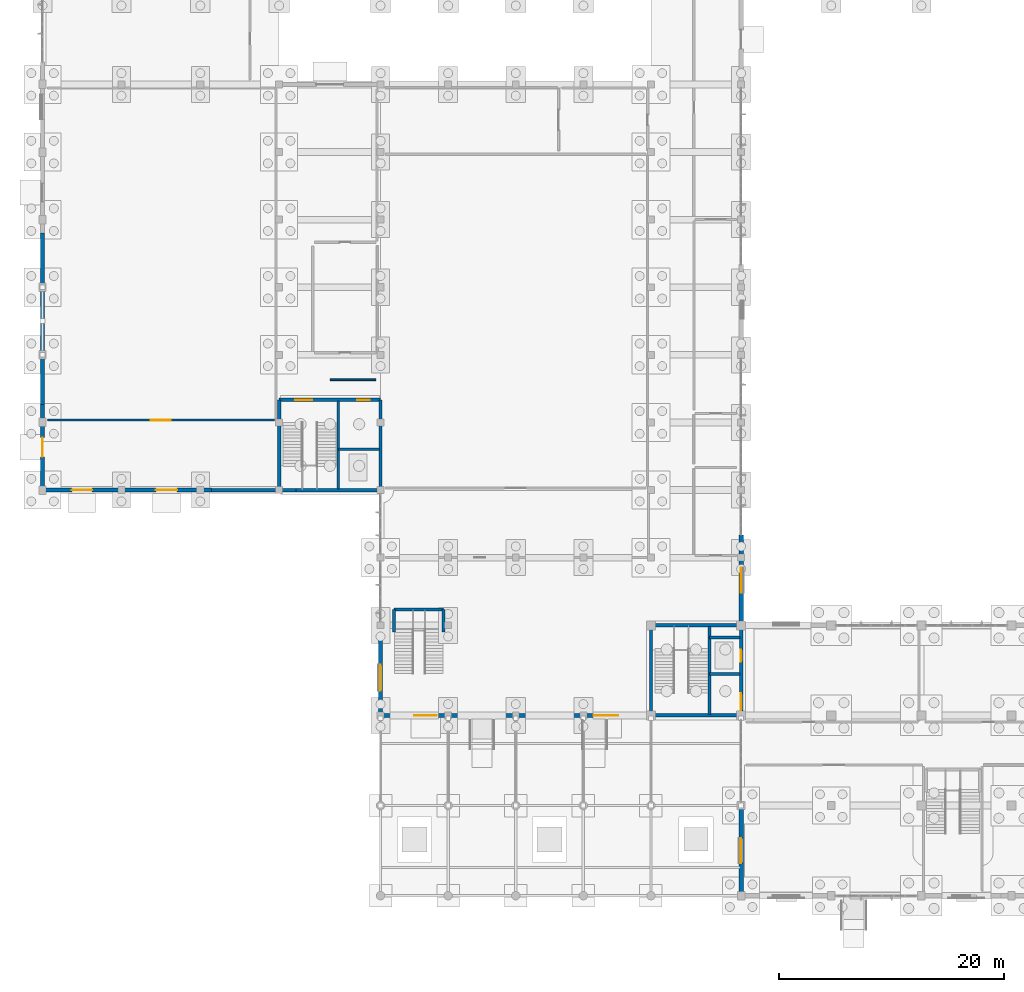
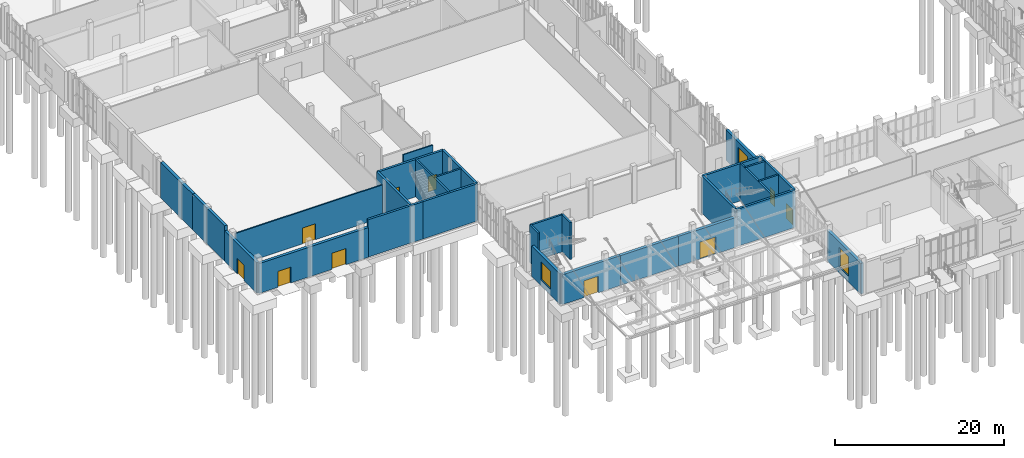
# One storey, part 43 of 69: 30 walls, 10 doors, 3 windows, 13 openings.
"""IFC4 building model written with IfcOpenShell, lengths in metres."""

from ifc_helpers import new_model, si_unit, direction, frame, frame_2d, origin, place, context, subcontext, project, spatial, rectangle, extrude, material, layer, layer_set, type_object, element, fill, save


model = new_model("IFC4")

# Units and contexts
model_context = context("Model", 3, precision=1e-05, world=origin(), true_north=direction((0.0, 1.0)))
body_context = subcontext(model_context, "Body", "Model", "MODEL_VIEW")
ifc_project = project(units=[si_unit("LENGTHUNIT", "METRE"), si_unit("AREAUNIT", "SQUARE_METRE"), si_unit("VOLUMEUNIT", "CUBIC_METRE"), si_unit("PLANEANGLEUNIT", "RADIAN"), si_unit("MASSUNIT", "GRAM", prefix="KILO")], contexts=[model_context])

# Site, building, storey
site_placement = place(None, origin())
site = spatial("IfcSite", under=ifc_project, at=site_placement, CompositionType="ELEMENT")
building_placement = place(site_placement, origin())
building = spatial("IfcBuilding", under=site, at=building_placement, Name="Solvane Community Centre", CompositionType="ELEMENT")
storey_placement = place(building_placement, origin())
storey = spatial("IfcBuildingStorey", under=building, at=storey_placement, Name="L00", CompositionType="ELEMENT", Elevation=0.0)

# Wall, opening, window
ifc_material_1 = material(Name="Terracotta clay masonry", Category="masonry")
ifc_layer_1 = layer(ifc_material_1, 0.3798828125)
ifc_layer_set_1 = layer_set([ifc_layer_1], Name="Terracotta clay masonry")
wall_type_1 = type_object("IfcWallType", Name="Art Deco Terracotta Plinth Wall 380mm [67x44dm]", PredefinedType="SOLIDWALL", material=ifc_layer_set_1)
wall_1_placement = place(storey_placement, frame((36.0, 22.0, 0.0), z_axis=(0.0, 0.0, 1.0), x_axis=(0.0, 1.0, 0.0)))
wall_1 = element("IfcWall", 1, at=wall_1_placement, inside=storey, type_object=wall_type_1, Name="Exterior Wall WL-EXT-L00-0018", PredefinedType="SOLIDWALL", context=body_context, shape_type="SweptSolid", body=[
    extrude(rectangle(XDim=6.666748046875, YDim=0.3798828125, at=frame_2d((3.33349609375, 0.0))), origin(), (0.0, 0.0, 1.0), 4.445068359375),
])
opening_1_placement = place(wall_1_placement, frame((2.18310546875, 0.0, 0.89990234375)))
opening_1 = element("IfcOpeningElement", 2, at=opening_1_placement, cuts=wall_1, Name="Opening WN12", PredefinedType="OPENING", context=body_context, shape_type="SweptSolid", body=[
    extrude(rectangle(XDim=2.300048828125, YDim=2.60009765625, at=frame_2d((1.14990234375, 1.300048828125))), frame((0.0, 0.199951171875, 0.0), z_axis=(0.0, -1.0, 0.0), x_axis=(1.0, 0.0, 0.0)), (0.0, 0.0, 1.0), 0.39990234375),
])
ifc_material_2 = material(Name="Tempered low-E double glazing", Category="glass")
window_type_1 = type_object("IfcWindowType", Name="Dining Loggia Tall Window 2300x2600", PartitioningType="DOUBLE_PANEL_VERTICAL", PredefinedType="WINDOW", material=ifc_material_2)
window_1_placement = place(opening_1_placement, origin())
window_1 = element("IfcWindow", 3, at=window_1_placement, inside=storey, type_object=window_type_1, Name="L00-W004", OverallHeight=2.60009765625, OverallWidth=2.300048828125, PartitioningType="DOUBLE_PANEL_VERTICAL", PredefinedType="WINDOW", context=body_context, shape_type="SweptSolid", body=[
    extrude(rectangle(XDim=2.300048828125, YDim=2.60009765625, at=frame_2d((1.14990234375, 1.300048828125))), frame((0.0, 0.030029296875, 0.0), z_axis=(0.0, -1.0, 0.0), x_axis=(1.0, 0.0, 0.0)), (0.0, 0.0, 1.0), 0.06005859375),
])
fill(opening_1, window_1)

# Wall, opening, door
ifc_layer_2 = layer(ifc_material_1, 0.3798828125)
ifc_layer_set_2 = layer_set([ifc_layer_2], Name="Terracotta clay masonry")
wall_type_2 = type_object("IfcWallType", Name="Art Deco Terracotta Plinth Wall 380mm [70x43dm]", PredefinedType="SOLIDWALL", material=ifc_layer_set_2)
wall_2_placement = place(storey_placement, frame((13.0, 42.0, 0.0), z_axis=(0.0, 0.0, 1.0), x_axis=(-1.0, 0.0, 0.0)))
wall_2 = element("IfcWall", 4, at=wall_2_placement, inside=storey, type_object=wall_type_2, Name="Exterior Wall WL-EXT-L00-0022", PredefinedType="SOLIDWALL", context=body_context, shape_type="SweptSolid", body=[
    extrude(rectangle(XDim=7.0, YDim=0.3798828125, at=frame_2d((3.5, 0.0))), origin(), (0.0, 0.0, 1.0), 4.31494140625),
])
opening_2_placement = place(wall_2_placement, frame((2.60009765625, 0.0, 0.0)))
opening_2 = element("IfcOpeningElement", 5, at=opening_2_placement, cuts=wall_2, Name="Opening D02", PredefinedType="OPENING", context=body_context, shape_type="SweptSolid", body=[
    extrude(rectangle(XDim=1.800048828125, YDim=2.300048828125, at=frame_2d((0.89990234375, 1.14990234375))), frame((0.0, 0.199951171875, 0.0), z_axis=(0.0, -1.0, 0.0), x_axis=(1.0, 0.0, 0.0)), (0.0, 0.0, 1.0), 0.39990234375),
])
ifc_material_3 = material(Name="Anodised bronze aluminium AW-6063 T6", Category="aluminium")
door_type_1 = type_object("IfcDoorType", Name="Primary Civic Exit Pair 1800x2300", OperationType="NOTDEFINED", PredefinedType="DOOR", material=ifc_material_3)
door_1_placement = place(opening_2_placement, origin())
door_1 = element("IfcDoor", 6, at=door_1_placement, inside=storey, type_object=door_type_1, Name="L00-ED10", OperationType="DOUBLE_DOOR_SINGLE_SWING", OverallHeight=2.300048828125, OverallWidth=1.800048828125, PredefinedType="DOOR", context=body_context, shape_type="SweptSolid", body=[
    extrude(rectangle(XDim=1.800048828125, YDim=2.300048828125, at=frame_2d((0.89990234375, 1.14990234375))), frame((0.0, 0.02490234375, 0.0), z_axis=(0.0, -1.0, 0.0), x_axis=(1.0, 0.0, 0.0)), (0.0, 0.0, 1.0), 0.050048828125),
])
fill(opening_2, door_1)

ifc_layer_3 = layer(ifc_material_1, 0.3798828125)
ifc_layer_set_3 = layer_set([ifc_layer_3], Name="Terracotta clay masonry")
wall_type_3 = type_object("IfcWallType", Name="Art Deco Terracotta Plinth Wall 380mm [76x44dm]", PredefinedType="SOLIDWALL", material=ifc_layer_set_3)
wall_3_placement = place(storey_placement, frame((6.0, 42.0, 0.0), z_axis=(0.0, 0.0, 1.0), x_axis=(0.0, 1.0, 0.0)))
wall_3 = element("IfcWall", 7, at=wall_3_placement, inside=storey, type_object=wall_type_3, Name="Exterior Wall WL-EXT-L00-0023", PredefinedType="SOLIDWALL", context=body_context, shape_type="SweptSolid", body=[
    extrude(rectangle(XDim=7.60009765625, YDim=0.3798828125, at=frame_2d((3.800048828125, 0.0))), origin(), (0.0, 0.0, 1.0), 4.425048828125),
])
opening_3_placement = place(wall_3_placement, frame((2.949951171875, 0.0, 0.0)))
opening_3 = element("IfcOpeningElement", 8, at=opening_3_placement, cuts=wall_3, Name="Opening D07", PredefinedType="OPENING", context=body_context, shape_type="SweptSolid", body=[
    extrude(rectangle(XDim=1.699951171875, YDim=2.25, at=frame_2d((0.85009765625, 1.125))), frame((0.0, 0.199951171875, 0.0), z_axis=(0.0, -1.0, 0.0), x_axis=(1.0, 0.0, 0.0)), (0.0, 0.0, 1.0), 0.39990234375),
])
door_type_2 = type_object("IfcDoorType", Name="Nursery Garden Double Door 1700x2250", OperationType="NOTDEFINED", PredefinedType="DOOR", material=ifc_material_3)
door_2_placement = place(opening_3_placement, origin())
door_2 = element("IfcDoor", 9, at=door_2_placement, inside=storey, type_object=door_type_2, Name="L00-ED11", OperationType="DOUBLE_DOOR_SINGLE_SWING", OverallHeight=2.25, OverallWidth=1.699951171875, PredefinedType="DOOR", context=body_context, shape_type="SweptSolid", body=[
    extrude(rectangle(XDim=1.699951171875, YDim=2.25, at=frame_2d((0.85009765625, 1.125))), frame((0.0, 0.02490234375, 0.0), z_axis=(0.0, -1.0, 0.0), x_axis=(1.0, 0.0, 0.0)), (0.0, 0.0, 1.0), 0.050048828125),
])
fill(opening_3, door_2)

# Walls
ifc_layer_4 = layer(ifc_material_1, 0.3798828125)
ifc_layer_set_4 = layer_set([ifc_layer_4], Name="Terracotta clay masonry")
wall_type_4 = type_object("IfcWallType", Name="Art Deco Terracotta Plinth Wall 380mm [76x52dm]", PredefinedType="SOLIDWALL", material=ifc_layer_set_4)
wall_4_placement = place(storey_placement, frame((6.0, 49.60009765625, 0.0), z_axis=(0.0, 0.0, 1.0), x_axis=(0.0, 1.0, 0.0)))
element("IfcWall", 10, at=wall_4_placement, inside=storey, type_object=wall_type_4, Name="Exterior Wall WL-EXT-L00-0024", PredefinedType="SOLIDWALL", context=body_context, shape_type="SweptSolid", body=[
    extrude(rectangle(XDim=7.599853515625, YDim=0.3798828125, at=frame_2d((3.7998046875, 0.0))), origin(), (0.0, 0.0, 1.0), 5.159912109375),
])
wall_5_placement = place(storey_placement, frame((6.0, 57.199951171875, 0.0), z_axis=(0.0, 0.0, 1.0), x_axis=(0.0, 1.0, 0.0)))
element("IfcWall", 11, at=wall_5_placement, inside=storey, type_object=wall_type_4, Name="Exterior Wall WL-EXT-L00-0025", PredefinedType="SOLIDWALL", context=body_context, shape_type="SweptSolid", body=[
    extrude(rectangle(XDim=7.60009765625, YDim=0.3798828125, at=frame_2d((3.800048828125, 0.0))), origin(), (0.0, 0.0, 1.0), 5.159912109375),
])

# Wall, opening, door
ifc_layer_5 = layer(ifc_material_1, 0.3798828125)
ifc_layer_set_5 = layer_set([ifc_layer_5], Name="Terracotta clay masonry")
wall_type_5 = type_object("IfcWallType", Name="Art Deco Terracotta Plinth Wall 380mm [80x43dm]", PredefinedType="SOLIDWALL", material=ifc_layer_set_5)
wall_6_placement = place(storey_placement, frame((60.0, 22.0, 0.0), z_axis=(0.0, 0.0, 1.0), x_axis=(-1.0, 0.0, 0.0)))
wall_6 = element("IfcWall", 12, at=wall_6_placement, inside=storey, type_object=wall_type_5, Name="Exterior Wall WL-EXT-L00-0015", PredefinedType="SOLIDWALL", context=body_context, shape_type="SweptSolid", body=[
    extrude(rectangle(XDim=8.0, YDim=0.3798828125, at=frame_2d((4.0, 0.0))), origin(), (0.0, 0.0, 1.0), 4.31494140625),
])
opening_4_placement = place(wall_6_placement, frame((2.89990234375, 0.0, 0.0)))
opening_4 = element("IfcOpeningElement", 13, at=opening_4_placement, cuts=wall_6, Name="Opening D05", PredefinedType="OPENING", context=body_context, shape_type="SweptSolid", body=[
    extrude(rectangle(XDim=2.199951171875, YDim=2.449951171875, at=frame_2d((1.10009765625, 1.22509765625))), frame((0.0, 0.199951171875, 0.0), z_axis=(0.0, -1.0, 0.0), x_axis=(1.0, 0.0, 0.0)), (0.0, 0.0, 1.0), 0.39990234375),
])
door_type_3 = type_object("IfcDoorType", Name="Boulevard Cafe Entrance Pair 2200x2450", OperationType="NOTDEFINED", PredefinedType="DOOR", material=ifc_material_3)
door_3_placement = place(opening_4_placement, origin())
door_3 = element("IfcDoor", 14, at=door_3_placement, inside=storey, type_object=door_type_3, Name="L00-ED07", OperationType="DOUBLE_DOOR_SINGLE_SWING", OverallHeight=2.449951171875, OverallWidth=2.199951171875, PredefinedType="DOOR", context=body_context, shape_type="SweptSolid", body=[
    extrude(rectangle(XDim=2.199951171875, YDim=2.449951171875, at=frame_2d((1.10009765625, 1.22509765625))), frame((0.0, 0.02490234375, 0.0), z_axis=(0.0, -1.0, 0.0), x_axis=(1.0, 0.0, 0.0)), (0.0, 0.0, 1.0), 0.050048828125),
])
fill(opening_4, door_3)

# Wall
wall_7_placement = place(storey_placement, frame((52.0, 22.0, 0.0), z_axis=(0.0, 0.0, 1.0), x_axis=(-1.0, 0.0, 0.0)))
element("IfcWall", 15, at=wall_7_placement, inside=storey, type_object=wall_type_5, Name="Exterior Wall WL-EXT-L00-0016", PredefinedType="SOLIDWALL", context=body_context, shape_type="SweptSolid", body=[
    extrude(rectangle(XDim=8.0, YDim=0.3798828125, at=frame_2d((4.0, 0.0))), origin(), (0.0, 0.0, 1.0), 4.31494140625),
])

# Wall, opening, door
wall_8_placement = place(storey_placement, frame((44.0, 22.0, 0.0), z_axis=(0.0, 0.0, 1.0), x_axis=(-1.0, 0.0, 0.0)))
wall_8 = element("IfcWall", 16, at=wall_8_placement, inside=storey, type_object=wall_type_5, Name="Exterior Wall WL-EXT-L00-0017", PredefinedType="SOLIDWALL", context=body_context, shape_type="SweptSolid", body=[
    extrude(rectangle(XDim=8.0, YDim=0.3798828125, at=frame_2d((4.0, 0.0))), origin(), (0.0, 0.0, 1.0), 4.31494140625),
])
opening_5_placement = place(wall_8_placement, frame((3.0, 0.0, 0.0)))
opening_5 = element("IfcOpeningElement", 17, at=opening_5_placement, cuts=wall_8, Name="Opening D01", PredefinedType="OPENING", context=body_context, shape_type="SweptSolid", body=[
    extrude(rectangle(XDim=2.0, YDim=2.39990234375, at=frame_2d((1.0, 1.199951171875))), frame((0.0, 0.199951171875, 0.0), z_axis=(0.0, -1.0, 0.0), x_axis=(1.0, 0.0, 0.0)), (0.0, 0.0, 1.0), 0.39990234375),
])
door_type_4 = type_object("IfcDoorType", Name="Grand Boulevard Exit Pair 2000x2400", OperationType="NOTDEFINED", PredefinedType="DOOR", material=ifc_material_3)
door_4_placement = place(opening_5_placement, origin())
door_4 = element("IfcDoor", 18, at=door_4_placement, inside=storey, type_object=door_type_4, Name="L00-ED08", OperationType="DOUBLE_DOOR_SINGLE_SWING", OverallHeight=2.39990234375, OverallWidth=2.0, PredefinedType="DOOR", context=body_context, shape_type="SweptSolid", body=[
    extrude(rectangle(XDim=2.0, YDim=2.39990234375, at=frame_2d((1.0, 1.199951171875))), frame((0.0, 0.02490234375, 0.0), z_axis=(0.0, -1.0, 0.0), x_axis=(1.0, 0.0, 0.0)), (0.0, 0.0, 1.0), 0.050048828125),
])
fill(opening_5, door_4)

wall_9_placement = place(storey_placement, frame((21.0, 42.0, 0.0), z_axis=(0.0, 0.0, 1.0), x_axis=(-1.0, 0.0, 0.0)))
wall_9 = element("IfcWall", 19, at=wall_9_placement, inside=storey, type_object=wall_type_5, Name="Exterior Wall WL-EXT-L00-0021", PredefinedType="SOLIDWALL", context=body_context, shape_type="SweptSolid", body=[
    extrude(rectangle(XDim=8.0, YDim=0.3798828125, at=frame_2d((4.0, 0.0))), origin(), (0.0, 0.0, 1.0), 4.31494140625),
])
opening_6_placement = place(wall_9_placement, frame((3.050048828125, 0.0, 0.0)))
opening_6 = element("IfcOpeningElement", 20, at=opening_6_placement, cuts=wall_9, Name="Opening D06", PredefinedType="OPENING", context=body_context, shape_type="SweptSolid", body=[
    extrude(rectangle(XDim=1.89990234375, YDim=2.35009765625, at=frame_2d((0.949951171875, 1.175048828125))), frame((0.0, 0.199951171875, 0.0), z_axis=(0.0, -1.0, 0.0), x_axis=(1.0, 0.0, 0.0)), (0.0, 0.0, 1.0), 0.39990234375),
])
door_type_5 = type_object("IfcDoorType", Name="Courtyard Cloister Double Door 1900x2350", OperationType="NOTDEFINED", PredefinedType="DOOR", material=ifc_material_3)
door_5_placement = place(opening_6_placement, origin())
door_5 = element("IfcDoor", 21, at=door_5_placement, inside=storey, type_object=door_type_5, Name="L00-ED09", OperationType="DOUBLE_DOOR_SINGLE_SWING", OverallHeight=2.35009765625, OverallWidth=1.89990234375, PredefinedType="DOOR", context=body_context, shape_type="SweptSolid", body=[
    extrude(rectangle(XDim=1.89990234375, YDim=2.35009765625, at=frame_2d((0.949951171875, 1.175048828125))), frame((0.0, 0.02490234375, 0.0), z_axis=(0.0, -1.0, 0.0), x_axis=(1.0, 0.0, 0.0)), (0.0, 0.0, 1.0), 0.050048828125),
])
fill(opening_6, door_5)

# Wall, opening, window
ifc_layer_6 = layer(ifc_material_1, 0.3798828125)
ifc_layer_set_6 = layer_set([ifc_layer_6], Name="Terracotta clay masonry")
wall_type_6 = type_object("IfcWallType", Name="Art Deco Terracotta Plinth Wall 380mm [80x44dm]", PredefinedType="SOLIDWALL", material=ifc_layer_set_6)
wall_10_placement = place(storey_placement, frame((68.0, 6.0, 0.0), z_axis=(0.0, 0.0, 1.0), x_axis=(0.0, 1.0, 0.0)))
wall_10 = element("IfcWall", 22, at=wall_10_placement, inside=storey, type_object=wall_type_6, Name="Exterior Wall WL-EXT-L00-0013", PredefinedType="SOLIDWALL", context=body_context, shape_type="SweptSolid", body=[
    extrude(rectangle(XDim=8.0, YDim=0.3798828125, at=frame_2d((4.0, 0.0))), origin(), (0.0, 0.0, 1.0), 4.445068359375),
])
opening_7_placement = place(wall_10_placement, frame((2.89990234375, 0.0, 0.85009765625)))
opening_7 = element("IfcOpeningElement", 23, at=opening_7_placement, cuts=wall_10, Name="Opening WN01", PredefinedType="OPENING", context=body_context, shape_type="SweptSolid", body=[
    extrude(rectangle(XDim=2.199951171875, YDim=2.800048828125, at=frame_2d((1.10009765625, 1.39990234375))), frame((0.0, 0.199951171875, 0.0), z_axis=(0.0, -1.0, 0.0), x_axis=(1.0, 0.0, 0.0)), (0.0, 0.0, 1.0), 0.39990234375),
])
window_type_2 = type_object("IfcWindowType", Name="Art Deco Tall Pier Window 2200x2800", PartitioningType="DOUBLE_PANEL_VERTICAL", PredefinedType="WINDOW", material=ifc_material_2)
window_2_placement = place(opening_7_placement, origin())
window_2 = element("IfcWindow", 24, at=window_2_placement, inside=storey, type_object=window_type_2, Name="L00-W003", OverallHeight=2.800048828125, OverallWidth=2.199951171875, PartitioningType="DOUBLE_PANEL_VERTICAL", PredefinedType="WINDOW", context=body_context, shape_type="SweptSolid", body=[
    extrude(rectangle(XDim=2.199951171875, YDim=2.800048828125, at=frame_2d((1.10009765625, 1.39990234375))), frame((0.0, 0.030029296875, 0.0), z_axis=(0.0, -1.0, 0.0), x_axis=(1.0, 0.0, 0.0)), (0.0, 0.0, 1.0), 0.06005859375),
])
fill(opening_7, window_2)

wall_11_placement = place(storey_placement, frame((68.0, 38.0, 0.0), z_axis=(0.0, 0.0, 1.0), x_axis=(0.0, -1.0, 0.0)))
wall_11 = element("IfcWall", 25, at=wall_11_placement, inside=storey, type_object=wall_type_6, Name="Exterior Wall WL-EXT-L00-0042", PredefinedType="SOLIDWALL", context=body_context, shape_type="SweptSolid", body=[
    extrude(rectangle(XDim=8.0, YDim=0.3798828125, at=frame_2d((4.0, 0.0))), origin(), (0.0, 0.0, 1.0), 4.425048828125),
])
opening_8_placement = place(wall_11_placement, frame((2.89990234375, 0.0, 0.85009765625)))
opening_8 = element("IfcOpeningElement", 26, at=opening_8_placement, cuts=wall_11, Name="Opening WN01", PredefinedType="OPENING", context=body_context, shape_type="SweptSolid", body=[
    extrude(rectangle(XDim=2.199951171875, YDim=2.800048828125, at=frame_2d((1.10009765625, 1.39990234375))), frame((0.0, 0.199951171875, 0.0), z_axis=(0.0, -1.0, 0.0), x_axis=(1.0, 0.0, 0.0)), (0.0, 0.0, 1.0), 0.39990234375),
])
window_3_placement = place(opening_8_placement, origin())
window_3 = element("IfcWindow", 27, at=window_3_placement, inside=storey, type_object=window_type_2, Name="L00-W015", OverallHeight=2.800048828125, OverallWidth=2.199951171875, PartitioningType="DOUBLE_PANEL_VERTICAL", PredefinedType="WINDOW", context=body_context, shape_type="SweptSolid", body=[
    extrude(rectangle(XDim=2.199951171875, YDim=2.800048828125, at=frame_2d((1.10009765625, 1.39990234375))), frame((0.0, 0.030029296875, 0.0), z_axis=(0.0, -1.0, 0.0), x_axis=(1.0, 0.0, 0.0)), (0.0, 0.0, 1.0), 0.06005859375),
])
fill(opening_8, window_3)

# Wall, opening, door
ifc_material_4 = material(Name="Gypsum board partition")
ifc_layer_7 = layer(ifc_material_4, 0.179931640625)
ifc_layer_set_7 = layer_set([ifc_layer_7], Name="Gypsum board partition")
wall_type_7 = type_object("IfcWallType", Name="Protected Corridor Wall 180mm [202x47dm]", PredefinedType="PARTITIONING", material=ifc_layer_set_7)
wall_12_placement = place(storey_placement, frame((6.419921875, 48.199951171875, 0.0), z_axis=(0.0, 0.0, 1.0), x_axis=(1.0, 0.0, 0.0)))
wall_12 = element("IfcWall", 28, at=wall_12_placement, inside=storey, type_object=wall_type_7, Name="Interior Wall WL-INT-L00-0155", PredefinedType="PARTITIONING", context=body_context, shape_type="SweptSolid", body=[
    extrude(rectangle(XDim=20.16015625, YDim=0.179931640625, at=frame_2d((10.080078125, 0.0))), origin(), (0.0, 0.0, 1.0), 4.72802734375),
])
opening_9_placement = place(wall_12_placement, frame((9.179931640625, 0.0, 0.0)))
opening_9 = element("IfcOpeningElement", 29, at=opening_9_placement, cuts=wall_12, Name="Opening ID02", PredefinedType="OPENING", context=body_context, shape_type="SweptSolid", body=[
    extrude(rectangle(XDim=1.800048828125, YDim=2.300048828125, at=frame_2d((0.89990234375, 1.14990234375))), frame((0.0, 0.099853515625, 0.0), z_axis=(0.0, -1.0, 0.0), x_axis=(1.0, 0.0, 0.0)), (0.0, 0.0, 1.0), 0.199951171875),
])
door_type_6 = type_object("IfcDoorType", Name="Hall Acoustic Double Door 1800x2300", OperationType="NOTDEFINED", PredefinedType="DOOR", material=ifc_material_3)
door_6_placement = place(opening_9_placement, origin())
door_6 = element("IfcDoor", 30, at=door_6_placement, inside=storey, type_object=door_type_6, Name="L00-D048", OperationType="DOUBLE_DOOR_SINGLE_SWING", OverallHeight=2.300048828125, OverallWidth=1.800048828125, PredefinedType="DOOR", context=body_context, shape_type="SweptSolid", body=[
    extrude(rectangle(XDim=1.800048828125, YDim=2.300048828125, at=frame_2d((0.89990234375, 1.14990234375))), frame((0.0, 0.02490234375, 0.0), z_axis=(0.0, -1.0, 0.0), x_axis=(1.0, 0.0, 0.0)), (0.0, 0.0, 1.0), 0.050048828125),
])
fill(opening_9, door_6)

# Walls
ifc_material_5 = material(Name="Concrete C35/45", Category="concrete")
ifc_layer_8 = layer(ifc_material_5, 0.300048828125)
ifc_layer_set_8 = layer_set([ifc_layer_8], Name="Concrete C35/45")
wall_type_8 = type_object("IfcWallType", Name="RC Core Shear Wall 300mm [80x54dm]", PredefinedType="SHEAR", material=ifc_layer_set_8)
for number, where, z_axis, x_axis, name in (
    (31, (60.0, 22.0, 0.0), (0.0, 0.0, 1.0), (0.0, 1.0, 0.0), "Interior Wall WL-INT-L00-0001"),
    (32, (60.0, 30.0, 0.0), (0.0, 0.0, 1.0), (1.0, 0.0, 0.0), "Interior Wall WL-INT-L00-0002"),
):
    element("IfcWall", number, at=place(storey_placement, frame(where, z_axis=z_axis, x_axis=x_axis)), inside=storey, type_object=wall_type_8, Name=name, PredefinedType="SHEAR", context=body_context, shape_type="SweptSolid", body=[
        extrude(rectangle(XDim=8.0, YDim=0.300048828125, at=frame_2d((4.0, 0.0))), origin(), (0.0, 0.0, 1.0), 5.39990234375),
    ])

# Wall, openings, doors
wall_13_placement = place(storey_placement, frame((68.0, 30.0, 0.0), z_axis=(0.0, 0.0, 1.0), x_axis=(0.0, -1.0, 0.0)))
wall_13 = element("IfcWall", 33, at=wall_13_placement, inside=storey, type_object=wall_type_8, Name="Interior Wall WL-INT-L00-0003", PredefinedType="SHEAR", context=body_context, shape_type="SweptSolid", body=[
    extrude(rectangle(XDim=8.0, YDim=0.300048828125, at=frame_2d((4.0, 0.0))), origin(), (0.0, 0.0, 1.0), 5.39990234375),
])
opening_10_placement = place(wall_13_placement, frame((6.050048828125, 0.0, 0.0)))
opening_10 = element("IfcOpeningElement", 34, at=opening_10_placement, cuts=wall_13, Name="Opening SD01", PredefinedType="OPENING", context=body_context, shape_type="SweptSolid", body=[
    extrude(rectangle(XDim=1.5, YDim=2.199951171875, at=frame_2d((0.75, 1.10009765625))), frame((0.0, 0.159912109375, 0.0), z_axis=(0.0, -1.0, 0.0), x_axis=(1.0, 0.0, 0.0)), (0.0, 0.0, 1.0), 0.320068359375),
])
opening_11_placement = place(wall_13_placement, frame((2.14990234375, 0.0, 0.0)))
opening_11 = element("IfcOpeningElement", 35, at=opening_11_placement, cuts=wall_13, Name="Opening LD01", PredefinedType="OPENING", context=body_context, shape_type="SweptSolid", body=[
    extrude(rectangle(XDim=1.10009765625, YDim=2.199951171875, at=frame_2d((0.550048828125, 1.10009765625))), frame((0.0, 0.159912109375, 0.0), z_axis=(0.0, -1.0, 0.0), x_axis=(1.0, 0.0, 0.0)), (0.0, 0.0, 1.0), 0.320068359375),
])
door_type_7 = type_object("IfcDoorType", Name="Lift Sliding Landing Door 1100x2200", OperationType="NOTDEFINED", PredefinedType="DOOR", material=ifc_material_3)
door_7_placement = place(opening_11_placement, origin())
door_7 = element("IfcDoor", 36, at=door_7_placement, inside=storey, type_object=door_type_7, Name="L00-D002", OperationType="SLIDING_TO_LEFT", OverallHeight=2.199951171875, OverallWidth=1.10009765625, PredefinedType="DOOR", context=body_context, shape_type="SweptSolid", body=[
    extrude(rectangle(XDim=1.10009765625, YDim=2.199951171875, at=frame_2d((0.550048828125, 1.10009765625))), frame((0.0, 0.02490234375, 0.0), z_axis=(0.0, -1.0, 0.0), x_axis=(1.0, 0.0, 0.0)), (0.0, 0.0, 1.0), 0.050048828125),
])
fill(opening_11, door_7)
door_type_8 = type_object("IfcDoorType", Name="Stair Discharge Fire Pair 1500x2200", OperationType="NOTDEFINED", PredefinedType="DOOR", material=ifc_material_3)
door_8_placement = place(opening_10_placement, origin())
door_8 = element("IfcDoor", 37, at=door_8_placement, inside=storey, type_object=door_type_8, Name="L00-D001", OperationType="DOUBLE_DOOR_SINGLE_SWING", OverallHeight=2.199951171875, OverallWidth=1.5, PredefinedType="DOOR", context=body_context, shape_type="SweptSolid", body=[
    extrude(rectangle(XDim=1.5, YDim=2.199951171875, at=frame_2d((0.75, 1.10009765625))), frame((0.0, 0.02490234375, 0.0), z_axis=(0.0, -1.0, 0.0), x_axis=(1.0, 0.0, 0.0)), (0.0, 0.0, 1.0), 0.050048828125),
])
fill(opening_10, door_8)

# Walls
for number, where, z_axis, x_axis, name in (
    (38, (27.0, 42.0, 0.0), (0.0, 0.0, 1.0), (0.0, 1.0, 0.0), "Interior Wall WL-INT-L00-0089"),
    (39, (36.0, 50.0, 0.0), (0.0, 0.0, 1.0), (0.0, -1.0, 0.0), "Interior Wall WL-INT-L00-0091"),
):
    element("IfcWall", number, at=place(storey_placement, frame(where, z_axis=z_axis, x_axis=x_axis)), inside=storey, type_object=wall_type_8, Name=name, PredefinedType="SHEAR", context=body_context, shape_type="SweptSolid", body=[
        extrude(rectangle(XDim=8.0, YDim=0.300048828125, at=frame_2d((4.0, 0.0))), origin(), (0.0, 0.0, 1.0), 5.39990234375),
    ])

# Wall, openings, doors
ifc_layer_9 = layer(ifc_material_5, 0.300048828125)
ifc_layer_set_9 = layer_set([ifc_layer_9], Name="Concrete C35/45")
wall_type_9 = type_object("IfcWallType", Name="RC Core Shear Wall 300mm [90x54dm]", PredefinedType="SHEAR", material=ifc_layer_set_9)
wall_14_placement = place(storey_placement, frame((27.0, 50.0, 0.0), z_axis=(0.0, 0.0, 1.0), x_axis=(1.0, 0.0, 0.0)))
wall_14 = element("IfcWall", 40, at=wall_14_placement, inside=storey, type_object=wall_type_9, Name="Interior Wall WL-INT-L00-0090", PredefinedType="SHEAR", context=body_context, shape_type="SweptSolid", body=[
    extrude(rectangle(XDim=9.0, YDim=0.300048828125, at=frame_2d((4.5, 0.0))), origin(), (0.0, 0.0, 1.0), 5.39990234375),
])
opening_12_placement = place(wall_14_placement, frame((1.449951171875, 0.0, 0.0)))
opening_12 = element("IfcOpeningElement", 41, at=opening_12_placement, cuts=wall_14, Name="Opening SD01", PredefinedType="OPENING", context=body_context, shape_type="SweptSolid", body=[
    extrude(rectangle(XDim=1.5, YDim=2.199951171875, at=frame_2d((0.75, 1.10009765625))), frame((0.0, 0.159912109375, 0.0), z_axis=(0.0, -1.0, 0.0), x_axis=(1.0, 0.0, 0.0)), (0.0, 0.0, 1.0), 0.320068359375),
])
opening_13_placement = place(wall_14_placement, frame((6.949951171875, 0.0, 0.0)))
opening_13 = element("IfcOpeningElement", 42, at=opening_13_placement, cuts=wall_14, Name="Opening LD01", PredefinedType="OPENING", context=body_context, shape_type="SweptSolid", body=[
    extrude(rectangle(XDim=1.10009765625, YDim=2.199951171875, at=frame_2d((0.550048828125, 1.10009765625))), frame((0.0, 0.159912109375, 0.0), z_axis=(0.0, -1.0, 0.0), x_axis=(1.0, 0.0, 0.0)), (0.0, 0.0, 1.0), 0.320068359375),
])
door_9_placement = place(opening_13_placement, origin())
door_9 = element("IfcDoor", 43, at=door_9_placement, inside=storey, type_object=door_type_7, Name="L00-D034", OperationType="SLIDING_TO_LEFT", OverallHeight=2.199951171875, OverallWidth=1.10009765625, PredefinedType="DOOR", context=body_context, shape_type="SweptSolid", body=[
    extrude(rectangle(XDim=1.10009765625, YDim=2.199951171875, at=frame_2d((0.550048828125, 1.10009765625))), frame((0.0, 0.02490234375, 0.0), z_axis=(0.0, -1.0, 0.0), x_axis=(1.0, 0.0, 0.0)), (0.0, 0.0, 1.0), 0.050048828125),
])
fill(opening_13, door_9)
door_10_placement = place(opening_12_placement, origin())
door_10 = element("IfcDoor", 44, at=door_10_placement, inside=storey, type_object=door_type_8, Name="L00-D033", OperationType="DOUBLE_DOOR_SINGLE_SWING", OverallHeight=2.199951171875, OverallWidth=1.5, PredefinedType="DOOR", context=body_context, shape_type="SweptSolid", body=[
    extrude(rectangle(XDim=1.5, YDim=2.199951171875, at=frame_2d((0.75, 1.10009765625))), frame((0.0, 0.02490234375, 0.0), z_axis=(0.0, -1.0, 0.0), x_axis=(1.0, 0.0, 0.0)), (0.0, 0.0, 1.0), 0.050048828125),
])
fill(opening_12, door_10)

# Walls
ifc_layer_10 = layer(ifc_material_5, 0.300048828125)
ifc_layer_set_10 = layer_set([ifc_layer_10], Name="Concrete C35/45")
wall_type_10 = type_object("IfcWallType", Name="RC Exterior Core Strip Wall 300mm [75x39dm]", PredefinedType="SOLIDWALL", material=ifc_layer_set_10)
for number, where, z_axis, x_axis, name in (
    (45, (36.0, 42.0, 0.0), (0.0, 0.0, 1.0), (-1.0, 0.0, 0.0), "Exterior Wall WL-EXT-L00-0019"),
    (46, (28.5, 42.0, 0.0), (0.0, 0.0, 1.0), (-1.0, 0.0, 0.0), "Exterior Wall WL-EXT-L00-0020"),
):
    element("IfcWall", number, at=place(storey_placement, frame(where, z_axis=z_axis, x_axis=x_axis)), inside=storey, type_object=wall_type_10, Name=name, PredefinedType="SOLIDWALL", context=body_context, shape_type="SweptSolid", body=[
        extrude(rectangle(XDim=7.5, YDim=0.300048828125, at=frame_2d((3.75, 0.0))), origin(), (0.0, 0.0, 1.0), 5.39990234375),
    ])
ifc_layer_11 = layer(ifc_material_5, 0.300048828125)
ifc_layer_set_11 = layer_set([ifc_layer_11], Name="Concrete C35/45")
wall_type_11 = type_object("IfcWallType", Name="RC Exterior Core Strip Wall 300mm [80x42dm]", PredefinedType="SOLIDWALL", material=ifc_layer_set_11)
wall_15_placement = place(storey_placement, frame((68.0, 22.0, 0.0), z_axis=(0.0, 0.0, 1.0), x_axis=(-1.0, 0.0, 0.0)))
element("IfcWall", 47, at=wall_15_placement, inside=storey, type_object=wall_type_11, Name="Exterior Wall WL-EXT-L00-0014", PredefinedType="SOLIDWALL", context=body_context, shape_type="SweptSolid", body=[
    extrude(rectangle(XDim=8.0, YDim=0.300048828125, at=frame_2d((4.0, 0.0))), origin(), (0.0, 0.0, 1.0), 5.39990234375),
])
ifc_layer_12 = layer(ifc_material_5, 0.25)
ifc_layer_set_12 = layer_set([ifc_layer_12], Name="Concrete C35/45")
wall_type_12 = type_object("IfcWallType", Name="RC Lift Shaft Wall 250mm [20x54dm]", PredefinedType="SHEAR", material=ifc_layer_set_12)
for number, where, z_axis, x_axis, name in (
    (48, (37.199951171875, 29.39990234375, 0.0), (0.0, 0.0, 1.0), (0.0, 1.0, 0.0), "Interior Wall WL-INT-L00-0134"),
    (49, (41.60009765625, 31.39990234375, 0.0), (0.0, 0.0, 1.0), (0.0, -1.0, 0.0), "Interior Wall WL-INT-L00-0136"),
):
    element("IfcWall", number, at=place(storey_placement, frame(where, z_axis=z_axis, x_axis=x_axis)), inside=storey, type_object=wall_type_12, Name=name, PredefinedType="SHEAR", context=body_context, shape_type="SweptSolid", body=[
        extrude(rectangle(XDim=2.0, YDim=0.25, at=frame_2d((1.0, 0.0))), origin(), (0.0, 0.0, 1.0), 5.39990234375),
    ])
ifc_layer_13 = layer(ifc_material_5, 0.25)
ifc_layer_set_13 = layer_set([ifc_layer_13], Name="Concrete C35/45")
wall_type_13 = type_object("IfcWallType", Name="RC Lift Shaft Wall 250mm [27x54dm]", PredefinedType="SHEAR", material=ifc_layer_set_13)
for number, where, z_axis, x_axis, name in (
    (50, (65.199951171875, 25.679931640625, 0.0), (0.0, 0.0, 1.0), (1.0, 0.0, 0.0), "Interior Wall WL-INT-L00-0005"),
    (51, (65.199951171875, 28.919921875, 0.0), (0.0, 0.0, 1.0), (1.0, 0.0, 0.0), "Interior Wall WL-INT-L00-0006"),
):
    element("IfcWall", number, at=place(storey_placement, frame(where, z_axis=z_axis, x_axis=x_axis)), inside=storey, type_object=wall_type_13, Name=name, PredefinedType="SHEAR", context=body_context, shape_type="SweptSolid", body=[
        extrude(rectangle(XDim=2.699951171875, YDim=0.25, at=frame_2d((1.35009765625, 0.0))), origin(), (0.0, 0.0, 1.0), 5.39990234375),
    ])
ifc_layer_14 = layer(ifc_material_5, 0.25)
ifc_layer_set_14 = layer_set([ifc_layer_14], Name="Concrete C35/45")
wall_type_14 = type_object("IfcWallType", Name="RC Lift Shaft Wall 250mm [36x54dm]", PredefinedType="SHEAR", material=ifc_layer_set_14)
wall_16_placement = place(storey_placement, frame((32.25, 45.6201171875, 0.0), z_axis=(0.0, 0.0, 1.0), x_axis=(1.0, 0.0, 0.0)))
element("IfcWall", 52, at=wall_16_placement, inside=storey, type_object=wall_type_14, Name="Interior Wall WL-INT-L00-0093", PredefinedType="SHEAR", context=body_context, shape_type="SweptSolid", body=[
    extrude(rectangle(XDim=3.64990234375, YDim=0.25, at=frame_2d((1.824951171875, 0.0))), origin(), (0.0, 0.0, 1.0), 5.39990234375),
])
ifc_layer_15 = layer(ifc_material_5, 0.25)
ifc_layer_set_15 = layer_set([ifc_layer_15], Name="Concrete C35/45")
wall_type_15 = type_object("IfcWallType", Name="RC Lift Shaft Wall 250mm [44x54dm]", PredefinedType="SHEAR", material=ifc_layer_set_15)
wall_17_placement = place(storey_placement, frame((37.199951171875, 31.39990234375, 0.0), z_axis=(0.0, 0.0, 1.0), x_axis=(1.0, 0.0, 0.0)))
element("IfcWall", 53, at=wall_17_placement, inside=storey, type_object=wall_type_15, Name="Interior Wall WL-INT-L00-0135", PredefinedType="SHEAR", context=body_context, shape_type="SweptSolid", body=[
    extrude(rectangle(XDim=4.400146484375, YDim=0.25, at=frame_2d((2.2001953125, 0.0))), origin(), (0.0, 0.0, 1.0), 5.39990234375),
])
ifc_layer_16 = layer(ifc_material_5, 0.25)
ifc_layer_set_16 = layer_set([ifc_layer_16], Name="Concrete C35/45")
wall_type_16 = type_object("IfcWallType", Name="RC Lift Shaft Wall 250mm [78x54dm]", PredefinedType="SHEAR", material=ifc_layer_set_16)
for number, where, z_axis, x_axis, name in (
    (54, (65.199951171875, 22.10009765625, 0.0), (0.0, 0.0, 1.0), (0.0, 1.0, 0.0), "Interior Wall WL-INT-L00-0004"),
    (55, (32.25, 42.10009765625, 0.0), (0.0, 0.0, 1.0), (0.0, 1.0, 0.0), "Interior Wall WL-INT-L00-0092"),
):
    element("IfcWall", number, at=place(storey_placement, frame(where, z_axis=z_axis, x_axis=x_axis)), inside=storey, type_object=wall_type_16, Name=name, PredefinedType="SHEAR", context=body_context, shape_type="SweptSolid", body=[
        extrude(rectangle(XDim=7.7998046875, YDim=0.25, at=frame_2d((3.89990234375, 0.0))), origin(), (0.0, 0.0, 1.0), 5.39990234375),
    ])
ifc_layer_17 = layer(ifc_material_4, 0.159912109375)
ifc_layer_set_17 = layer_set([ifc_layer_17], Name="Gypsum board partition")
wall_type_17 = type_object("IfcWallType", Name="Sanitary Plumbing Chase Wall 160mm [41x52dm]", PredefinedType="PLUMBINGWALL", material=ifc_layer_set_17)
wall_18_placement = place(storey_placement, frame((35.580078125, 51.800048828125, 0.0), z_axis=(0.0, 0.0, 1.0), x_axis=(-1.0, 0.0, 0.0)))
element("IfcWall", 56, at=wall_18_placement, inside=storey, type_object=wall_type_17, Name="Interior Wall WL-INT-L00-0163", PredefinedType="PLUMBINGWALL", context=body_context, shape_type="SweptSolid", body=[
    extrude(rectangle(XDim=4.06005859375, YDim=0.159912109375, at=frame_2d((2.030029296875, 0.0))), origin(), (0.0, 0.0, 1.0), 5.159912109375),
])

save(model, "model.ifc")
